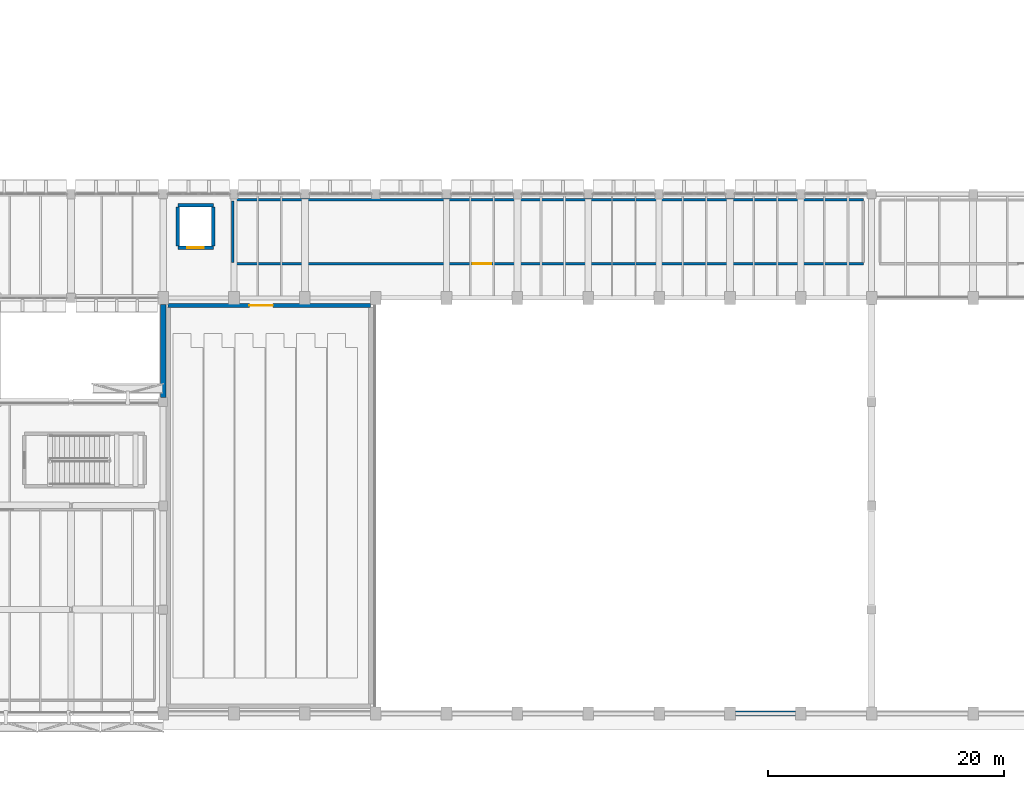
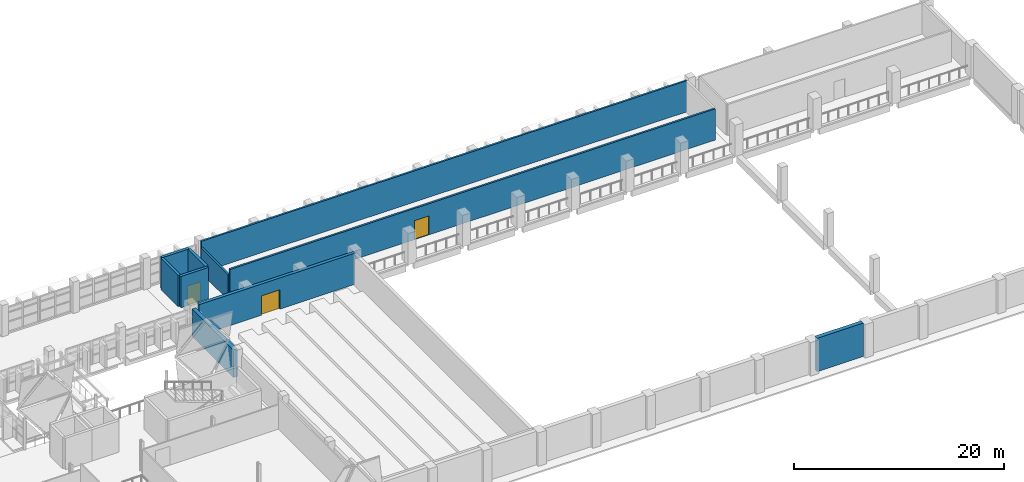
# One storey, part 62 of 80: 10 walls, 3 doors, 3 openings.
"""IFC4 building model written with IfcOpenShell, lengths in metres."""

from ifc_helpers import new_model, si_unit, direction, frame, frame_2d, origin, place, context, subcontext, project, spatial, rectangle, extrude, material, layer, layer_set, type_object, element, fill, save


model = new_model("IFC4")

# Units and contexts
model_context = context("Model", 3, precision=1e-05, world=origin(), true_north=direction((0.0, 1.0)))
body_context = subcontext(model_context, "Body", "Model", "MODEL_VIEW")
ifc_project = project(units=[si_unit("LENGTHUNIT", "METRE"), si_unit("AREAUNIT", "SQUARE_METRE"), si_unit("VOLUMEUNIT", "CUBIC_METRE"), si_unit("PLANEANGLEUNIT", "RADIAN"), si_unit("MASSUNIT", "GRAM", prefix="KILO")], contexts=[model_context])

# Site, building, storey
site_placement = place(None, origin())
site = spatial("IfcSite", under=ifc_project, at=site_placement, CompositionType="ELEMENT")
building_placement = place(site_placement, origin())
building = spatial("IfcBuilding", under=site, at=building_placement, Name="Varnakota Cinema and Media Centre", CompositionType="ELEMENT")
storey_placement = place(building_placement, frame((0.0, 0.0, 4.5)))
storey = spatial("IfcBuildingStorey", under=building, at=storey_placement, Name="L01", CompositionType="ELEMENT", Elevation=4.5)

# Wall, opening, door
ifc_material_1 = material(Name="Autoclaved aerated concrete blockwork", Category="masonry")
ifc_layer_1 = layer(ifc_material_1, 0.2099609375)
ifc_layer_set_1 = layer_set([ifc_layer_1], Name="Autoclaved aerated concrete blockwork")
wall_type_1 = type_object("IfcWallType", Name="W-ACOUST-210", PredefinedType="PARTITIONING", material=ifc_layer_set_1)
wall_1_placement = place(storey_placement, frame((134.304931640625, 38.094970703125, 0.0), z_axis=(0.0, 0.0, 1.0), x_axis=(-1.0, 0.0, 0.0)))
wall_1 = element("IfcWall", 1, at=wall_1_placement, inside=storey, type_object=wall_type_1, Name="L01 RWALL-RM-L01-BAR1 S wall", PredefinedType="PARTITIONING", context=body_context, shape_type="SweptSolid", body=[
    extrude(rectangle(XDim=53.409912109375, YDim=0.2099609375, at=frame_2d((26.705078125, 0.0))), origin(), (0.0, 0.0, 1.0), 3.6298828125),
])
opening_1_placement = place(wall_1_placement, frame((31.5048828125, 0.0, 0.0)))
opening_1 = element("IfcOpeningElement", 2, at=opening_1_placement, cuts=wall_1, Name="Opening D-066", PredefinedType="OPENING", context=body_context, shape_type="SweptSolid", body=[
    extrude(rectangle(XDim=1.60009765625, YDim=2.199951171875, at=frame_2d((0.800048828125, 1.10009765625))), frame((0.0, 0.10498046875, 0.0), z_axis=(0.0, -1.0, 0.0), x_axis=(1.0, 0.0, 0.0)), (0.0, 0.0, 1.0), 0.2099609375),
])
ifc_material_2 = material(Name="Thermally broken anodised aluminium AW-6063", Category="aluminium")
door_type_1 = type_object("IfcDoorType", Name="DR-STD-1600x2200", OperationType="DOUBLE_DOOR_SINGLE_SWING", PredefinedType="DOOR", material=ifc_material_2)
door_1_placement = place(opening_1_placement, origin())
door_1 = element("IfcDoor", 3, at=door_1_placement, inside=storey, type_object=door_type_1, Name="L01 door D-066", OperationType="DOUBLE_DOOR_SINGLE_SWING", OverallHeight=2.199951171875, OverallWidth=1.60009765625, PredefinedType="DOOR", context=body_context, shape_type="SweptSolid", body=[
    extrude(rectangle(XDim=1.60009765625, YDim=2.199951171875, at=frame_2d((0.800048828125, 1.10009765625))), frame((0.0, 0.02490234375, 0.0), z_axis=(0.0, -1.0, 0.0), x_axis=(1.0, 0.0, 0.0)), (0.0, 0.0, 1.0), 0.050048828125),
])
fill(opening_1, door_1)

# Walls
wall_2_placement = place(storey_placement, frame((80.89501953125, 38.199951171875, 0.0), z_axis=(0.0, 0.0, 1.0), x_axis=(0.0, 1.0, 0.0)))
element("IfcWall", 4, at=wall_2_placement, inside=storey, type_object=wall_type_1, Name="L01 RWALL-RM-L01-BAR1 W wall", PredefinedType="PARTITIONING", context=body_context, shape_type="SweptSolid", body=[
    extrude(rectangle(XDim=5.199951171875, YDim=0.2099609375, at=frame_2d((2.60009765625, 0.0))), origin(), (0.0, 0.0, 1.0), 2.929931640625),
])
wall_3_placement = place(storey_placement, frame((80.89501953125, 43.5048828125, 0.0), z_axis=(0.0, 0.0, 1.0), x_axis=(1.0, 0.0, 0.0)))
element("IfcWall", 5, at=wall_3_placement, inside=storey, type_object=wall_type_1, Name="L01 RWALL-RM-L01-BAR1 N wall", PredefinedType="PARTITIONING", context=body_context, shape_type="SweptSolid", body=[
    extrude(rectangle(XDim=53.409912109375, YDim=0.2099609375, at=frame_2d((26.705078125, 0.0))), origin(), (0.0, 0.0, 1.0), 3.6298828125),
])

# Wall, opening, door
ifc_material_3 = material(Name="Concrete M40", Category="concrete")
ifc_layer_2 = layer(ifc_material_3, 0.300048828125)
ifc_layer_set_2 = layer_set([ifc_layer_2], Name="Concrete M40")
wall_type_2 = type_object("IfcWallType", Name="W-CORE-300", PredefinedType="SHEAR", material=ifc_layer_set_2)
wall_4_placement = place(storey_placement, frame((79.25, 39.449951171875, 0.0), z_axis=(0.0, 0.0, 1.0), x_axis=(-1.0, 0.0, 0.0)))
wall_4 = element("IfcWall", 6, at=wall_4_placement, inside=storey, type_object=wall_type_2, Name="L01 LSHAFT-LF-08-L01 S wall", PredefinedType="SHEAR", context=body_context, shape_type="SweptSolid", body=[
    extrude(rectangle(XDim=3.0, YDim=0.300048828125, at=frame_2d((1.5, 0.0))), origin(), (0.0, 0.0, 1.0), 3.64990234375),
])
opening_2_placement = place(wall_4_placement, frame((0.800048828125, 0.0, 0.0)))
opening_2 = element("IfcOpeningElement", 7, at=opening_2_placement, cuts=wall_4, Name="Opening LD-08", PredefinedType="OPENING", context=body_context, shape_type="SweptSolid", body=[
    extrude(rectangle(XDim=1.39990234375, YDim=2.199951171875, at=frame_2d((0.699951171875, 1.10009765625))), frame((0.0, 0.14990234375, 0.0), z_axis=(0.0, -1.0, 0.0), x_axis=(1.0, 0.0, 0.0)), (0.0, 0.0, 1.0), 0.300048828125),
])
ifc_material_4 = material(Name="Thermally broken anodised aluminium AW-6063", Category="aluminium")
door_type_2 = type_object("IfcDoorType", Name="DR-LIFT-1400x2200", OperationType="DOUBLE_DOOR_SLIDING", PredefinedType="DOOR", material=ifc_material_4)
door_2_placement = place(opening_2_placement, origin())
door_2 = element("IfcDoor", 8, at=door_2_placement, inside=storey, type_object=door_type_2, Name="L01 door LD-08", OperationType="DOUBLE_DOOR_SLIDING", OverallHeight=2.199951171875, OverallWidth=1.39990234375, PredefinedType="DOOR", context=body_context, shape_type="SweptSolid", body=[
    extrude(rectangle(XDim=1.39990234375, YDim=2.199951171875, at=frame_2d((0.699951171875, 1.10009765625))), frame((0.0, 0.02490234375, 0.0), z_axis=(0.0, -1.0, 0.0), x_axis=(1.0, 0.0, 0.0)), (0.0, 0.0, 1.0), 0.050048828125),
])
fill(opening_2, door_2)

# Walls
wall_5_placement = place(storey_placement, frame((76.25, 39.60009765625, 0.0), z_axis=(0.0, 0.0, 1.0), x_axis=(0.0, 1.0, 0.0)))
element("IfcWall", 9, at=wall_5_placement, inside=storey, type_object=wall_type_2, Name="L01 LSHAFT-LF-08-L01 W wall", PredefinedType="SHEAR", context=body_context, shape_type="SweptSolid", body=[
    extrude(rectangle(XDim=3.2998046875, YDim=0.300048828125, at=frame_2d((1.64990234375, 0.0))), origin(), (0.0, 0.0, 1.0), 3.64990234375),
])
wall_6_placement = place(storey_placement, frame((76.25, 43.050048828125, 0.0), z_axis=(0.0, 0.0, 1.0), x_axis=(1.0, 0.0, 0.0)))
element("IfcWall", 10, at=wall_6_placement, inside=storey, type_object=wall_type_2, Name="L01 LSHAFT-LF-08-L01 N wall", PredefinedType="SHEAR", context=body_context, shape_type="SweptSolid", body=[
    extrude(rectangle(XDim=3.0, YDim=0.300048828125, at=frame_2d((1.5, 0.0))), origin(), (0.0, 0.0, 1.0), 3.64990234375),
])
wall_7_placement = place(storey_placement, frame((79.25, 42.89990234375, 0.0), z_axis=(0.0, 0.0, 1.0), x_axis=(0.0, -1.0, 0.0)))
element("IfcWall", 11, at=wall_7_placement, inside=storey, type_object=wall_type_2, Name="L01 LSHAFT-LF-08-L01 E wall", PredefinedType="SHEAR", context=body_context, shape_type="SweptSolid", body=[
    extrude(rectangle(XDim=3.2998046875, YDim=0.300048828125, at=frame_2d((1.64990234375, 0.0))), origin(), (0.0, 0.0, 1.0), 3.64990234375),
])
ifc_material_5 = material(Name="Deccan grey granite ashlar", Category="masonry")
ifc_layer_3 = layer(ifc_material_5, 0.43994140625)
ifc_layer_set_3 = layer_set([ifc_layer_3], Name="Deccan grey granite ashlar")
wall_type_3 = type_object("IfcWallType", Name="W-EXT-HALL-440", PredefinedType="SOLIDWALL", material=ifc_layer_set_3)
wall_8_placement = place(storey_placement, frame((128.550048828125, 0.0, 0.0), z_axis=(0.0, 0.0, 1.0), x_axis=(-1.0, 0.0, 0.0)))
element("IfcWall", 12, at=wall_8_placement, inside=storey, type_object=wall_type_3, Name="L01 exterior wall V1-S-2", PredefinedType="SOLIDWALL", context=body_context, shape_type="SweptSolid", body=[
    extrude(rectangle(XDim=5.10009765625, YDim=0.43994140625, at=frame_2d((2.550048828125, 0.0))), origin(), (0.0, 0.0, 1.0), 3.89990234375),
])
wall_9_placement = place(storey_placement, frame((75.0, 34.64990234375, 0.0), z_axis=(0.0, 0.0, 1.0), x_axis=(0.0, -1.0, 0.0)))
element("IfcWall", 13, at=wall_9_placement, inside=storey, type_object=wall_type_3, Name="L01 exterior wall V1-CHW-1", PredefinedType="SOLIDWALL", context=body_context, shape_type="SweptSolid", body=[
    extrude(rectangle(XDim=7.875, YDim=0.43994140625, at=frame_2d((3.9375, 0.0))), origin(), (0.0, 0.0, 1.0), 3.215087890625),
])

# Wall, opening, door
ifc_material_6 = material(Name="Concrete M40", Category="concrete")
ifc_layer_4 = layer(ifc_material_6, 0.35009765625)
ifc_layer_set_4 = layer_set([ifc_layer_4], Name="Concrete M40")
wall_type_4 = type_object("IfcWallType", Name="W-SEP-350", PredefinedType="SOLIDWALL", material=ifc_layer_set_4)
wall_10_placement = place(storey_placement, frame((75.425048828125, 34.574951171875, 0.0), z_axis=(0.0, 0.0, 1.0), x_axis=(1.0, 0.0, 0.0)))
wall_10 = element("IfcWall", 14, at=wall_10_placement, inside=storey, type_object=wall_type_4, Name="L01 RWALL-RM-L01-BALC N wall", PredefinedType="SOLIDWALL", context=body_context, shape_type="SweptSolid", body=[
    extrude(rectangle(XDim=17.14990234375, YDim=0.35009765625, at=frame_2d((8.574951171875, 0.0))), origin(), (0.0, 0.0, 1.0), 3.6298828125),
])
opening_3_placement = place(wall_10_placement, frame((6.875, 0.0, 0.0)))
opening_3 = element("IfcOpeningElement", 15, at=opening_3_placement, cuts=wall_10, Name="Opening D-065", PredefinedType="OPENING", context=body_context, shape_type="SweptSolid", body=[
    extrude(rectangle(XDim=2.0, YDim=2.25, at=frame_2d((1.0, 1.125))), frame((0.0, 0.175048828125, 0.0), z_axis=(0.0, -1.0, 0.0), x_axis=(1.0, 0.0, 0.0)), (0.0, 0.0, 1.0), 0.35009765625),
])
ifc_material_7 = material(Name="Thermally broken anodised aluminium AW-6063", Category="aluminium")
door_type_3 = type_object("IfcDoorType", Name="DR-AUD-2000x2250", OperationType="DOUBLE_DOOR_SINGLE_SWING", PredefinedType="DOOR", material=ifc_material_7)
door_3_placement = place(opening_3_placement, origin())
door_3 = element("IfcDoor", 16, at=door_3_placement, inside=storey, type_object=door_type_3, Name="L01 door D-065", OperationType="DOUBLE_DOOR_SINGLE_SWING", OverallHeight=2.25, OverallWidth=2.0, PredefinedType="DOOR", context=body_context, shape_type="SweptSolid", body=[
    extrude(rectangle(XDim=2.0, YDim=2.25, at=frame_2d((1.0, 1.125))), frame((0.0, 0.02490234375, 0.0), z_axis=(0.0, -1.0, 0.0), x_axis=(1.0, 0.0, 0.0)), (0.0, 0.0, 1.0), 0.050048828125),
])
fill(opening_3, door_3)

save(model, "model.ifc")
